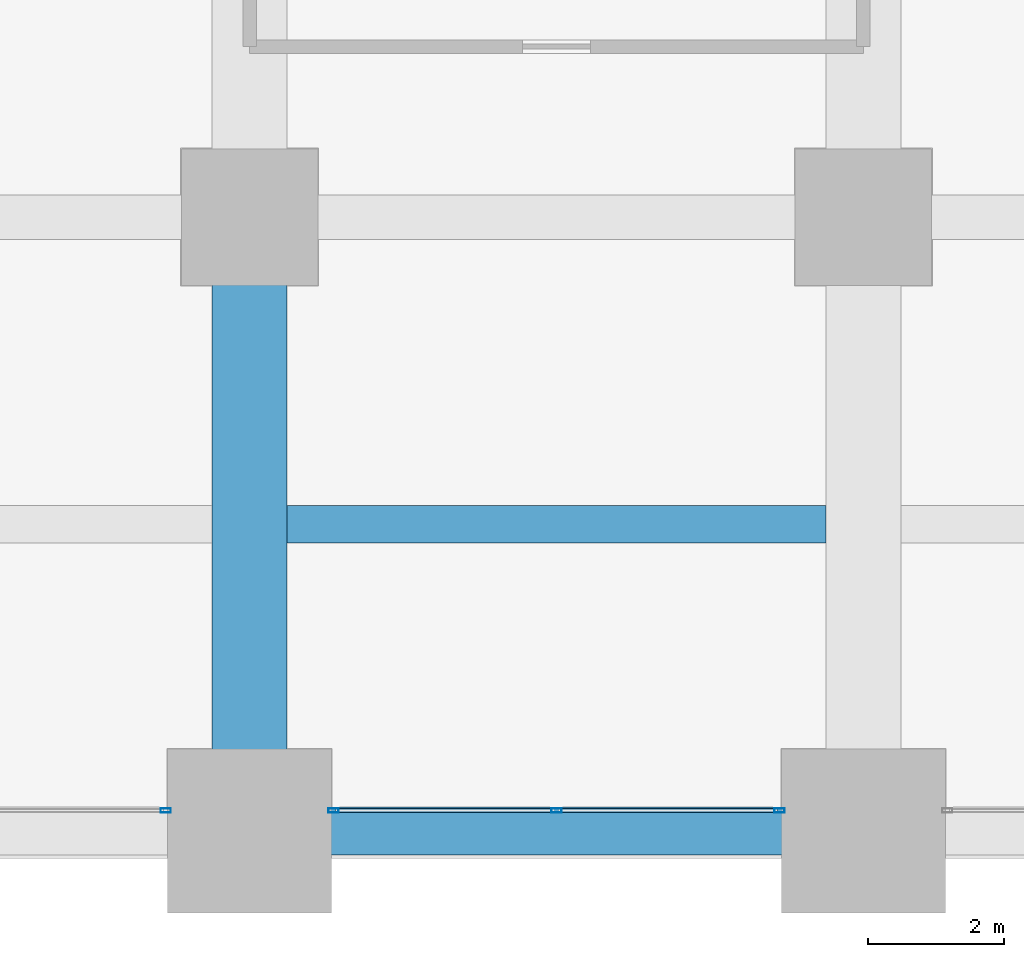
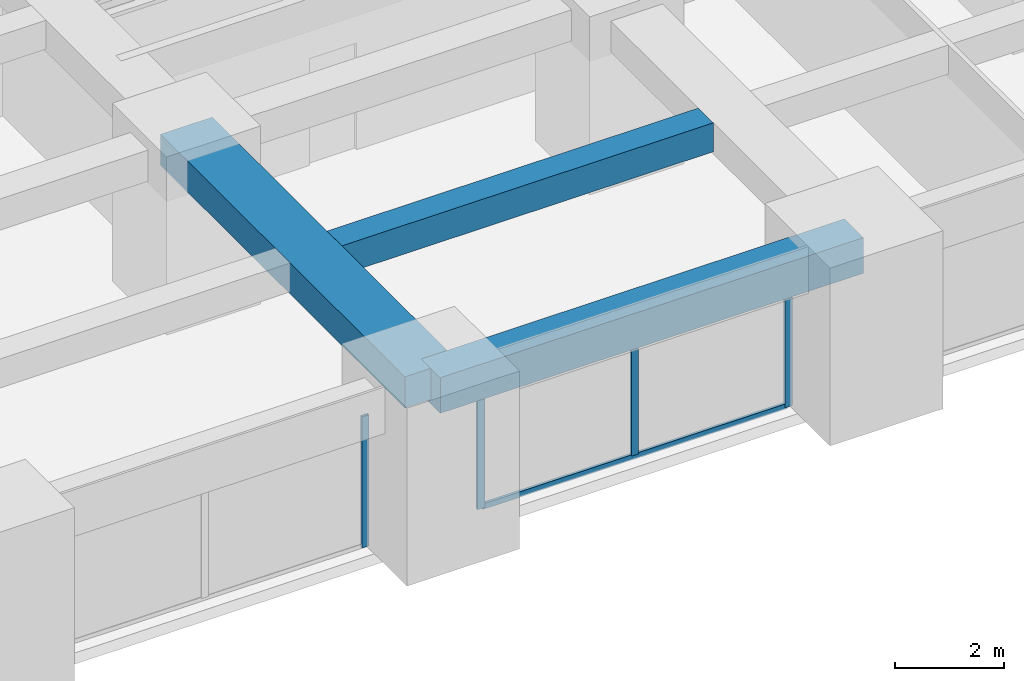
# One storey, part 6 of 40: 5 members, 3 beams, 2 elements without a shape of their own.
"""IFC4 building model written with IfcOpenShell, lengths in metres."""

from ifc_helpers import new_model, si_unit, direction, frame, origin, origin_2d, place, context, subcontext, project, spatial, rectangle, hollow_rectangle, extrude, material, material_profile, profile_set, type_object, element, aggregate, save


model = new_model("IFC4")

# Units and contexts
model_context = context("Model", 3, precision=1e-05, world=origin(), true_north=direction((0.0, 1.0)))
body_context = subcontext(model_context, "Body", "Model", "MODEL_VIEW")
ifc_project = project(units=[si_unit("LENGTHUNIT", "METRE"), si_unit("AREAUNIT", "SQUARE_METRE"), si_unit("VOLUMEUNIT", "CUBIC_METRE"), si_unit("PLANEANGLEUNIT", "RADIAN"), si_unit("MASSUNIT", "GRAM", prefix="KILO")], contexts=[model_context])

# Site, building, storey
site_placement = place(None, origin())
site = spatial("IfcSite", under=ifc_project, at=site_placement, CompositionType="ELEMENT")
building_placement = place(site_placement, origin())
building = spatial("IfcBuilding", under=site, at=building_placement, Name="Zorevar Civic Tower", CompositionType="ELEMENT")
storey_placement = place(building_placement, frame((0.0, 0.0, 93.0)))
storey = spatial("IfcBuildingStorey", under=building, at=storey_placement, Name="L22", CompositionType="ELEMENT", Elevation=93.0)

# Beams
ifc_material_1 = material(Name="Concrete C50/60", Category="concrete")
ifc_material_profile_1 = material_profile(ifc_material_1, rectangle(XDim=1.10009765625, YDim=0.699951171875, at=origin_2d()), Name="RC 1100x700")
ifc_profile_set_1 = profile_set([ifc_material_profile_1], Name="Concrete C50/60")
beam_type_1 = type_object("IfcBeamType", Name="Beam RC 1100x700", PredefinedType="BEAM", material=ifc_profile_set_1)
beam_1_placement = place(storey_placement, frame((18.0, 0.0, 3.39990234375), z_axis=(0.0, 1.0, 0.0), x_axis=(-1.0, 0.0, 0.0)))
element("IfcBeam", 1, at=beam_1_placement, inside=storey, type_object=beam_type_1, Name="Girder L23", PredefinedType="BEAM", context=body_context, shape_type="SweptSolid", body=[
    extrude(rectangle(XDim=1.10009765625, YDim=0.699951171875, at=origin_2d()), origin(), (0.0, 0.0, 1.0), 9.0),
])
ifc_material_2 = material(Name="Concrete C50/60", Category="concrete")
ifc_material_profile_2 = material_profile(ifc_material_2, rectangle(XDim=0.550048828125, YDim=0.64990234375, at=origin_2d()), Name="RC 550x650")
ifc_profile_set_2 = profile_set([ifc_material_profile_2], Name="Concrete C50/60")
beam_type_2 = type_object("IfcBeamType", Name="Beam RC 550x650", PredefinedType="BEAM", material=ifc_profile_set_2)
beam_2_placement = place(storey_placement, frame((18.550048828125, 4.5, 3.425048828125), z_axis=(1.0, 0.0, 0.0), x_axis=(0.0, 1.0, 0.0)))
element("IfcBeam", 2, at=beam_2_placement, inside=storey, type_object=beam_type_2, Name="Secondary beam L23", PredefinedType="BEAM", context=body_context, shape_type="SweptSolid", body=[
    extrude(rectangle(XDim=0.550048828125, YDim=0.64990234375, at=origin_2d()), origin(), (0.0, 0.0, 1.0), 7.89990234375),
])

# Curtain wall, member
ifc_material_3 = material(Name="Dark grey solar-control glass in black aluminium frame", Category="aluminium")
curtain_wall_type = type_object("IfcCurtainWallType", Name="Curtain wall CW3 mid zone", PredefinedType="NOTDEFINED", material=ifc_material_3)
curtain_wall_1_placement = place(storey_placement, origin())
curtain_wall_1 = element("IfcCurtainWall", 3, at=curtain_wall_1_placement, inside=storey, type_object=curtain_wall_type, Name="CW3 L22", PredefinedType="NOTDEFINED")
ifc_material_4 = material(Name="Aluminium, black anodised", Category="aluminium")
ifc_material_profile_3 = material_profile(ifc_material_4, hollow_rectangle(XDim=0.06005859375, YDim=0.14990234375, WallThickness=0.00390625, at=origin_2d()), Name="AL 150x60x4")
ifc_profile_set_3 = profile_set([ifc_material_profile_3], Name="Aluminium, black anodised")
member_type_1 = type_object("IfcMemberType", Name="CW3 mullion AL 150x60x4", PredefinedType="MULLION", material=ifc_profile_set_3)
member_1_placement = place(storey_placement, frame((16.77001953125, 0.300048828125, 0.0), z_axis=(0.0, 0.0, 1.0), x_axis=(0.0, 1.0, 0.0)))
member_1 = element("IfcMember", 4, at=member_1_placement, type_object=member_type_1, Name="CW3 mullion 3", PredefinedType="MULLION", context=body_context, shape_type="SweptSolid", body=[
    extrude(hollow_rectangle(XDim=0.06005859375, YDim=0.14990234375, WallThickness=0.00390625, at=origin_2d()), origin(), (0.0, 0.0, 1.0), 2.949951171875),
])
aggregate(curtain_wall_1, [member_1])

# Curtain wall, members
curtain_wall_2_placement = place(storey_placement, origin())
curtain_wall_2 = element("IfcCurtainWall", 5, at=curtain_wall_2_placement, inside=storey, type_object=curtain_wall_type, Name="CW3 L22", PredefinedType="NOTDEFINED")
member_2_placement = place(storey_placement, frame((19.22998046875, 0.300048828125, 0.0), z_axis=(0.0, 0.0, 1.0), x_axis=(0.0, 1.0, 0.0)))
member_2 = element("IfcMember", 6, at=member_2_placement, type_object=member_type_1, Name="CW3 mullion 1", PredefinedType="MULLION", context=body_context, shape_type="SweptSolid", body=[
    extrude(hollow_rectangle(XDim=0.06005859375, YDim=0.14990234375, WallThickness=0.00390625, at=origin_2d()), origin(), (0.0, 0.0, 1.0), 2.949951171875),
])
member_3_placement = place(storey_placement, frame((22.5, 0.300048828125, 0.06005859375), z_axis=(0.0, 0.0, 1.0), x_axis=(0.0, 1.0, 0.0)))
member_3 = element("IfcMember", 7, at=member_3_placement, type_object=member_type_1, Name="CW3 mullion 2", PredefinedType="MULLION", context=body_context, shape_type="SweptSolid", body=[
    extrude(hollow_rectangle(XDim=0.06005859375, YDim=0.14990234375, WallThickness=0.00390625, at=origin_2d()), origin(), (0.0, 0.0, 1.0), 2.889892578125),
])
member_4_placement = place(storey_placement, frame((25.77001953125, 0.300048828125, 0.0), z_axis=(0.0, 0.0, 1.0), x_axis=(0.0, 1.0, 0.0)))
member_4 = element("IfcMember", 8, at=member_4_placement, type_object=member_type_1, Name="CW3 mullion 3", PredefinedType="MULLION", context=body_context, shape_type="SweptSolid", body=[
    extrude(hollow_rectangle(XDim=0.06005859375, YDim=0.14990234375, WallThickness=0.00390625, at=origin_2d()), origin(), (0.0, 0.0, 1.0), 2.949951171875),
])
ifc_material_5 = material(Name="Aluminium, black anodised", Category="aluminium")
ifc_material_profile_4 = material_profile(ifc_material_5, hollow_rectangle(XDim=0.06005859375, YDim=0.1201171875, WallThickness=0.0029296875, at=origin_2d()), Name="AL 120x60x3")
ifc_profile_set_4 = profile_set([ifc_material_profile_4], Name="Aluminium, black anodised")
member_type_2 = type_object("IfcMemberType", Name="CW3 transom AL 120x60x3", PredefinedType="USERDEFINED", material=ifc_profile_set_4)
member_5_placement = place(storey_placement, frame((19.260009765625, 0.300048828125, 0.030029296875), z_axis=(1.0, 0.0, 0.0), x_axis=(0.0, 1.0, 0.0)))
member_5 = element("IfcMember", 9, at=member_5_placement, type_object=member_type_2, Name="CW3 sill transom", ObjectType="TRANSOM", PredefinedType="USERDEFINED", context=body_context, shape_type="SweptSolid", body=[
    extrude(hollow_rectangle(XDim=0.06005859375, YDim=0.1201171875, WallThickness=0.0029296875, at=origin_2d()), origin(), (0.0, 0.0, 1.0), 6.47998046875),
])
aggregate(curtain_wall_2, [member_2, member_3, member_4, member_5])

# Beam
ifc_material_6 = material(Name="Concrete C50/60", Category="concrete")
ifc_material_profile_5 = material_profile(ifc_material_6, rectangle(XDim=0.699951171875, YDim=0.800048828125, at=origin_2d()), Name="RC 700x800")
ifc_profile_set_5 = profile_set([ifc_material_profile_5], Name="Concrete C50/60")
beam_type_3 = type_object("IfcBeamType", Name="Edge beam RC 700x800", PredefinedType="SPANDREL", material=ifc_profile_set_5)
beam_3_placement = place(storey_placement, frame((18.0, 0.0, 3.35009765625), z_axis=(1.0, 0.0, 0.0), x_axis=(0.0, 1.0, 0.0)))
element("IfcBeam", 10, at=beam_3_placement, inside=storey, type_object=beam_type_3, Name="Edge beam L23", PredefinedType="SPANDREL", context=body_context, shape_type="SweptSolid", body=[
    extrude(rectangle(XDim=0.699951171875, YDim=0.800048828125, at=origin_2d()), origin(), (0.0, 0.0, 1.0), 9.0),
])

save(model, "model.ifc")
